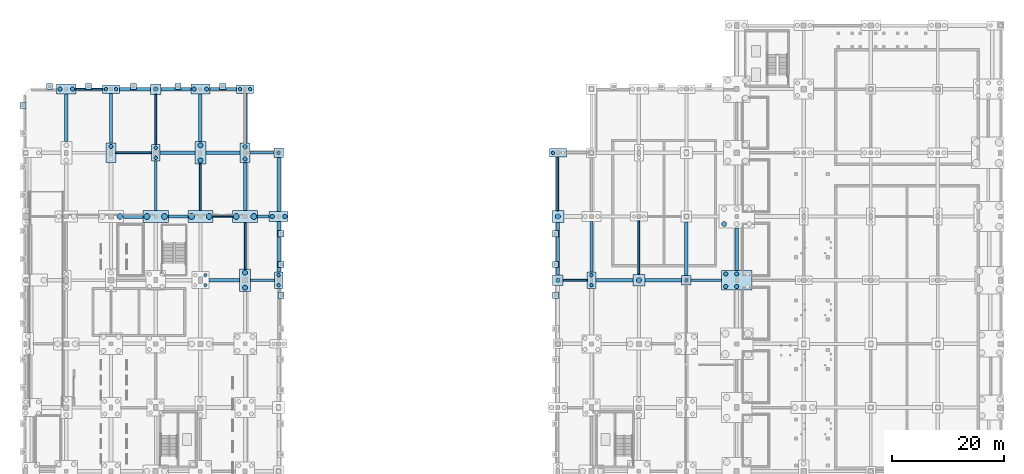
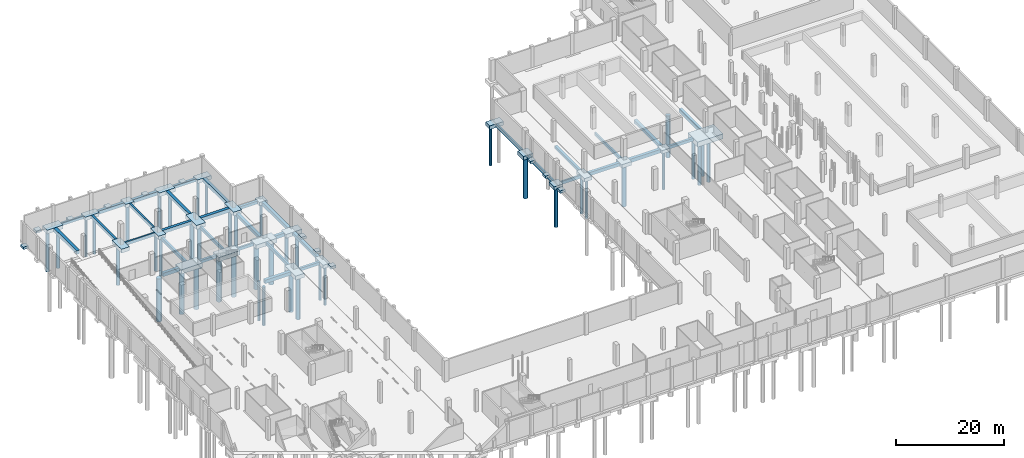
# One storey, part 6 of 34: 70 footings, 44 piles.
"""IFC4 building model written with IfcOpenShell, lengths in metres."""

from ifc_helpers import new_model, si_unit, direction, frame, origin, origin_2d, place, context, subcontext, project, spatial, rectangle, circle, extrude, material, material_profile, profile_set, type_object, element, save


model = new_model("IFC4")

# Units and contexts
model_context = context("Model", 3, precision=1e-05, world=origin(), true_north=direction((0.0, 1.0)))
body_context = subcontext(model_context, "Body", "Model", "MODEL_VIEW")
ifc_project = project(units=[si_unit("LENGTHUNIT", "METRE"), si_unit("AREAUNIT", "SQUARE_METRE"), si_unit("VOLUMEUNIT", "CUBIC_METRE"), si_unit("PLANEANGLEUNIT", "RADIAN"), si_unit("MASSUNIT", "GRAM", prefix="KILO"), si_unit("POWERUNIT", "WATT"), si_unit("THERMODYNAMICTEMPERATUREUNIT", "KELVIN")], contexts=[model_context])

# Site, building, storey
site_placement = place(None, origin())
site = spatial("IfcSite", under=ifc_project, at=site_placement, CompositionType="ELEMENT")
building_placement = place(site_placement, origin())
building = spatial("IfcBuilding", under=site, at=building_placement, Name="Kelmbourne Parkland Aquatics Centre", CompositionType="ELEMENT")
storey_placement = place(building_placement, frame((0.0, 0.0, -4.800048828125)))
storey = spatial("IfcBuildingStorey", under=building, at=storey_placement, Name="B1", CompositionType="ELEMENT", Elevation=-4.800048828125)

# Footings
ifc_material = material(Name="Waterproof concrete C50/60", Category="concrete")
footing_type_1 = type_object("IfcFootingType", Name="FT-FB1", PredefinedType="FOOTING_BEAM", material=ifc_material)
footing_1_placement = place(storey_placement, frame((43.10009765625, 69.199951171875, -1.099853515625), z_axis=(0.0, 0.0, 1.0), x_axis=(1.0, 0.0, 0.0)))
element("IfcFooting", 1, at=footing_1_placement, inside=storey, type_object=footing_type_1, Name="Ground tie beam F-G on Grid 10", PredefinedType="FOOTING_BEAM", context=body_context, shape_type="SweptSolid", body=[
    extrude(rectangle(XDim=4.25, YDim=0.5, at=origin_2d()), origin(), (0.0, 0.0, 1.0), 0.64990234375),
])
footing_2_placement = place(storey_placement, frame((122.550048828125, 69.199951171875, -1.099853515625), z_axis=(0.0, 0.0, 1.0), x_axis=(1.0, 0.0, 0.0)))
element("IfcFooting", 2, at=footing_2_placement, inside=storey, type_object=footing_type_1, Name="Ground tie beam O-P on Grid 10", PredefinedType="FOOTING_BEAM", context=body_context, shape_type="SweptSolid", body=[
    extrude(rectangle(XDim=5.39990234375, YDim=0.5, at=origin_2d()), origin(), (0.0, 0.0, 1.0), 0.64990234375),
])
footing_3_placement = place(storey_placement, frame((28.0, 80.60009765625, -1.099853515625), z_axis=(0.0, 0.0, 1.0), x_axis=(1.0, 0.0, 0.0)))
element("IfcFooting", 3, at=footing_3_placement, inside=storey, type_object=footing_type_1, Name="Ground tie beam D-E on Grid 11", PredefinedType="FOOTING_BEAM", context=body_context, shape_type="SweptSolid", body=[
    extrude(rectangle(XDim=3.5, YDim=0.5, at=origin_2d()), origin(), (0.0, 0.0, 1.0), 0.64990234375),
])
footing_4_placement = place(storey_placement, frame((43.012451171875, 92.0, -1.099853515625), z_axis=(0.0, 0.0, 1.0), x_axis=(1.0, 0.0, 0.0)))
element("IfcFooting", 4, at=footing_4_placement, inside=storey, type_object=footing_type_1, Name="Ground tie beam F-G on Grid 12", PredefinedType="FOOTING_BEAM", context=body_context, shape_type="SweptSolid", body=[
    extrude(rectangle(XDim=4.27490234375, YDim=0.5, at=origin_2d()), origin(), (0.0, 0.0, 1.0), 0.64990234375),
])
footing_5_placement = place(storey_placement, frame((36.112548828125, 103.39990234375, -0.64990234375), z_axis=(0.0, 0.0, 1.0), x_axis=(1.0, 0.0, 0.0)))
element("IfcFooting", 5, at=footing_5_placement, inside=storey, type_object=footing_type_1, Name="Ground tie beam E-F on Grid 13", PredefinedType="FOOTING_BEAM", context=body_context, shape_type="SweptSolid", body=[
    extrude(rectangle(XDim=4.77490234375, YDim=0.5, at=origin_2d()), origin(), (0.0, 0.0, 1.0), 0.64990234375),
])
footing_6_placement = place(storey_placement, frame((16.0, 98.175048828125, -0.64990234375), z_axis=(0.0, 0.0, 1.0), x_axis=(0.0, 1.0, 0.0)))
element("IfcFooting", 6, at=footing_6_placement, inside=storey, type_object=footing_type_1, Name="Ground tie beam 12-13 on Grid C", PredefinedType="FOOTING_BEAM", context=body_context, shape_type="SweptSolid", body=[
    extrude(rectangle(XDim=8.89990234375, YDim=0.5, at=origin_2d()), origin(), (0.0, 0.0, 1.0), 0.64990234375),
])
footing_7_placement = place(storey_placement, frame((24.0, 86.08740234375, -1.099853515625), z_axis=(0.0, 0.0, 1.0), x_axis=(0.0, 1.0, 0.0)))
element("IfcFooting", 7, at=footing_7_placement, inside=storey, type_object=footing_type_1, Name="Ground tie beam 11-12 on Grid D", PredefinedType="FOOTING_BEAM", context=body_context, shape_type="SweptSolid", body=[
    extrude(rectangle(XDim=8.824951171875, YDim=0.5, at=origin_2d()), origin(), (0.0, 0.0, 1.0), 0.64990234375),
])
footing_8_placement = place(storey_placement, frame((96.0, 74.85009765625, -1.099853515625), z_axis=(0.0, 0.0, 1.0), x_axis=(0.0, 1.0, 0.0)))
element("IfcFooting", 8, at=footing_8_placement, inside=storey, type_object=footing_type_1, Name="Ground tie beam 10-11 on Grid L", PredefinedType="FOOTING_BEAM", context=body_context, shape_type="SweptSolid", body=[
    extrude(rectangle(XDim=9.39990234375, YDim=0.5, at=origin_2d()), origin(), (0.0, 0.0, 1.0), 0.64990234375),
])
footing_9_placement = place(storey_placement, frame((102.0, 75.21240234375, -1.099853515625), z_axis=(0.0, 0.0, 1.0), x_axis=(0.0, 1.0, 0.0)))
element("IfcFooting", 9, at=footing_9_placement, inside=storey, type_object=footing_type_1, Name="Ground tie beam 10-11 on Grid M", PredefinedType="FOOTING_BEAM", context=body_context, shape_type="SweptSolid", body=[
    extrude(rectangle(XDim=9.02490234375, YDim=0.5, at=origin_2d()), origin(), (0.0, 0.0, 1.0), 0.64990234375),
])
footing_type_2 = type_object("IfcFootingType", Name="FT-FB2", PredefinedType="FOOTING_BEAM", material=ifc_material)
footing_10_placement = place(storey_placement, frame((99.08740234375, 69.199951171875, -1.14990234375), z_axis=(0.0, 0.0, 1.0), x_axis=(1.0, 0.0, 0.0)))
element("IfcFooting", 10, at=footing_10_placement, inside=storey, type_object=footing_type_2, Name="Ground tie beam L-M on Grid 10", PredefinedType="FOOTING_BEAM", context=body_context, shape_type="SweptSolid", body=[
    extrude(rectangle(XDim=4.27490234375, YDim=0.35009765625, at=origin_2d()), origin(), (0.0, 0.0, 1.0), 0.699951171875),
])
footing_11_placement = place(storey_placement, frame((36.0, 80.60009765625, -1.14990234375), z_axis=(0.0, 0.0, 1.0), x_axis=(1.0, 0.0, 0.0)))
element("IfcFooting", 11, at=footing_11_placement, inside=storey, type_object=footing_type_2, Name="Ground tie beam E-F on Grid 11", PredefinedType="FOOTING_BEAM", context=body_context, shape_type="SweptSolid", body=[
    extrude(rectangle(XDim=3.5, YDim=0.35009765625, at=origin_2d()), origin(), (0.0, 0.0, 1.0), 0.699951171875),
])
footing_12_placement = place(storey_placement, frame((20.050048828125, 92.0, -0.69970703125), z_axis=(0.0, 0.0, 1.0), x_axis=(1.0, 0.0, 0.0)))
element("IfcFooting", 12, at=footing_12_placement, inside=storey, type_object=footing_type_2, Name="Ground tie beam C-D on Grid 12", PredefinedType="FOOTING_BEAM", context=body_context, shape_type="SweptSolid", body=[
    extrude(rectangle(XDim=6.35009765625, YDim=0.35009765625, at=origin_2d()), origin(), (0.0, 0.0, 1.0), 0.699951171875),
])
footing_13_placement = place(storey_placement, frame((12.112548828125, 103.39990234375, -0.69970703125), z_axis=(0.0, 0.0, 1.0), x_axis=(1.0, 0.0, 0.0)))
element("IfcFooting", 13, at=footing_13_placement, inside=storey, type_object=footing_type_2, Name="Ground tie beam B-C on Grid 13", PredefinedType="FOOTING_BEAM", context=body_context, shape_type="SweptSolid", body=[
    extrude(rectangle(XDim=4.77490234375, YDim=0.35009765625, at=origin_2d()), origin(), (0.0, 0.0, 1.0), 0.699951171875),
])
footing_14_placement = place(storey_placement, frame((24.0, 97.97509765625, -0.69970703125), z_axis=(0.0, 0.0, 1.0), x_axis=(0.0, 1.0, 0.0)))
element("IfcFooting", 14, at=footing_14_placement, inside=storey, type_object=footing_type_2, Name="Ground tie beam 12-13 on Grid D", PredefinedType="FOOTING_BEAM", context=body_context, shape_type="SweptSolid", body=[
    extrude(rectangle(XDim=8.949951171875, YDim=0.35009765625, at=origin_2d()), origin(), (0.0, 0.0, 1.0), 0.699951171875),
])
for number, where, z_axis, x_axis, name in (
    (15, (32.0, 85.83740234375, -1.14990234375), (0.0, 0.0, 1.0), (0.0, 1.0, 0.0), "Ground tie beam 11-12 on Grid E"),
    (16, (40.0, 75.362548828125, -1.14990234375), (0.0, 0.0, 1.0), (0.0, 1.0, 0.0), "Ground tie beam 10-11 on Grid F"),
):
    element("IfcFooting", number, at=place(storey_placement, frame(where, z_axis=z_axis, x_axis=x_axis)), inside=storey, type_object=footing_type_2, Name=name, PredefinedType="FOOTING_BEAM", context=body_context, shape_type="SweptSolid", body=[
        extrude(rectangle(XDim=8.324951171875, YDim=0.35009765625, at=origin_2d()), origin(), (0.0, 0.0, 1.0), 0.699951171875),
    ])
for number, where, z_axis, x_axis, name in (
    (17, (96.0, 86.4375, -1.14990234375), (0.0, 0.0, 1.0), (0.0, 1.0, 0.0), "Ground tie beam 11-12 on Grid L"),
    (18, (110.5, 75.03759765625, -1.14990234375), (0.0, 0.0, 1.0), (0.0, 1.0, 0.0), "Ground tie beam 10-11 on Grid N"),
):
    element("IfcFooting", number, at=place(storey_placement, frame(where, z_axis=z_axis, x_axis=x_axis)), inside=storey, type_object=footing_type_2, Name=name, PredefinedType="FOOTING_BEAM", context=body_context, shape_type="SweptSolid", body=[
        extrude(rectangle(XDim=9.574951171875, YDim=0.35009765625, at=origin_2d()), origin(), (0.0, 0.0, 1.0), 0.699951171875),
    ])
footing_type_3 = type_object("IfcFootingType", Name="FT-FB3", PredefinedType="FOOTING_BEAM", material=ifc_material)
footing_15_placement = place(storey_placement, frame((106.112548828125, 69.199951171875, -1.199951171875), z_axis=(0.0, 0.0, 1.0), x_axis=(1.0, 0.0, 0.0)))
element("IfcFooting", 19, at=footing_15_placement, inside=storey, type_object=footing_type_3, Name="Ground tie beam M-N on Grid 10", PredefinedType="FOOTING_BEAM", context=body_context, shape_type="SweptSolid", body=[
    extrude(rectangle(XDim=6.675048828125, YDim=0.60009765625, at=origin_2d()), origin(), (0.0, 0.0, 1.0), 0.75),
])
footing_16_placement = place(storey_placement, frame((43.262451171875, 80.60009765625, -1.199951171875), z_axis=(0.0, 0.0, 1.0), x_axis=(1.0, 0.0, 0.0)))
element("IfcFooting", 20, at=footing_16_placement, inside=storey, type_object=footing_type_3, Name="Ground tie beam F-G on Grid 11", PredefinedType="FOOTING_BEAM", context=body_context, shape_type="SweptSolid", body=[
    extrude(rectangle(XDim=2.02490234375, YDim=0.60009765625, at=origin_2d()), origin(), (0.0, 0.0, 1.0), 0.75),
])
footing_17_placement = place(storey_placement, frame((27.89990234375, 92.0, -0.75), z_axis=(0.0, 0.0, 1.0), x_axis=(1.0, 0.0, 0.0)))
element("IfcFooting", 21, at=footing_17_placement, inside=storey, type_object=footing_type_3, Name="Ground tie beam D-E on Grid 12", PredefinedType="FOOTING_BEAM", context=body_context, shape_type="SweptSolid", body=[
    extrude(rectangle(XDim=6.25, YDim=0.60009765625, at=origin_2d()), origin(), (0.0, 0.0, 1.0), 0.75),
])
footing_18_placement = place(storey_placement, frame((20.27490234375, 103.39990234375, -0.75), z_axis=(0.0, 0.0, 1.0), x_axis=(1.0, 0.0, 0.0)))
element("IfcFooting", 22, at=footing_18_placement, inside=storey, type_object=footing_type_3, Name="Ground tie beam C-D on Grid 13", PredefinedType="FOOTING_BEAM", context=body_context, shape_type="SweptSolid", body=[
    extrude(rectangle(XDim=5.550048828125, YDim=0.60009765625, at=origin_2d()), origin(), (0.0, 0.0, 1.0), 0.75),
])
footing_19_placement = place(storey_placement, frame((32.0, 98.262451171875, -0.75), z_axis=(0.0, 0.0, 1.0), x_axis=(0.0, 1.0, 0.0)))
element("IfcFooting", 23, at=footing_19_placement, inside=storey, type_object=footing_type_3, Name="Ground tie beam 12-13 on Grid E", PredefinedType="FOOTING_BEAM", context=body_context, shape_type="SweptSolid", body=[
    extrude(rectangle(XDim=8.52490234375, YDim=0.60009765625, at=origin_2d()), origin(), (0.0, 0.0, 1.0), 0.75),
])
footing_20_placement = place(storey_placement, frame((40.0, 85.97509765625, -1.199951171875), z_axis=(0.0, 0.0, 1.0), x_axis=(0.0, 1.0, 0.0)))
element("IfcFooting", 24, at=footing_20_placement, inside=storey, type_object=footing_type_3, Name="Ground tie beam 11-12 on Grid F", PredefinedType="FOOTING_BEAM", context=body_context, shape_type="SweptSolid", body=[
    extrude(rectangle(XDim=8.60009765625, YDim=0.60009765625, at=origin_2d()), origin(), (0.0, 0.0, 1.0), 0.75),
])
footing_21_placement = place(storey_placement, frame((46.0, 75.21240234375, -1.199951171875), z_axis=(0.0, 0.0, 1.0), x_axis=(0.0, 1.0, 0.0)))
element("IfcFooting", 25, at=footing_21_placement, inside=storey, type_object=footing_type_3, Name="Ground tie beam 10-11 on Grid G", PredefinedType="FOOTING_BEAM", context=body_context, shape_type="SweptSolid", body=[
    extrude(rectangle(XDim=9.02490234375, YDim=0.60009765625, at=origin_2d()), origin(), (0.0, 0.0, 1.0), 0.75),
])
footing_22_placement = place(storey_placement, frame((119.0, 74.85009765625, -1.199951171875), z_axis=(0.0, 0.0, 1.0), x_axis=(0.0, 1.0, 0.0)))
element("IfcFooting", 26, at=footing_22_placement, inside=storey, type_object=footing_type_3, Name="Ground tie beam 10-11 on Grid O", PredefinedType="FOOTING_BEAM", context=body_context, shape_type="SweptSolid", body=[
    extrude(rectangle(XDim=9.60009765625, YDim=0.60009765625, at=origin_2d()), origin(), (0.0, 0.0, 1.0), 0.75),
])
footing_type_4 = type_object("IfcFootingType", Name="FT-FB4", PredefinedType="FOOTING_BEAM", material=ifc_material)
footing_23_placement = place(storey_placement, frame((36.27490234375, 69.199951171875, -1.25), z_axis=(0.0, 0.0, 1.0), x_axis=(1.0, 0.0, 0.0)))
element("IfcFooting", 27, at=footing_23_placement, inside=storey, type_object=footing_type_4, Name="Ground tie beam E-F on Grid 10", PredefinedType="FOOTING_BEAM", context=body_context, shape_type="SweptSolid", body=[
    extrude(rectangle(XDim=5.5, YDim=0.64990234375, at=origin_2d()), origin(), (0.0, 0.0, 1.0), 0.800048828125),
])
footing_24_placement = place(storey_placement, frame((114.85009765625, 69.199951171875, -1.25), z_axis=(0.0, 0.0, 1.0), x_axis=(1.0, 0.0, 0.0)))
element("IfcFooting", 28, at=footing_24_placement, inside=storey, type_object=footing_type_4, Name="Ground tie beam N-O on Grid 10", PredefinedType="FOOTING_BEAM", context=body_context, shape_type="SweptSolid", body=[
    extrude(rectangle(XDim=6.60009765625, YDim=0.64990234375, at=origin_2d()), origin(), (0.0, 0.0, 1.0), 0.800048828125),
])
footing_25_placement = place(storey_placement, frame((20.0, 80.60009765625, -1.25), z_axis=(0.0, 0.0, 1.0), x_axis=(1.0, 0.0, 0.0)))
element("IfcFooting", 29, at=footing_25_placement, inside=storey, type_object=footing_type_4, Name="Ground tie beam C-D on Grid 11", PredefinedType="FOOTING_BEAM", context=body_context, shape_type="SweptSolid", body=[
    extrude(rectangle(XDim=3.5, YDim=0.64990234375, at=origin_2d()), origin(), (0.0, 0.0, 1.0), 0.800048828125),
])
footing_26_placement = place(storey_placement, frame((36.050048828125, 92.0, -0.7998046875), z_axis=(0.0, 0.0, 1.0), x_axis=(1.0, 0.0, 0.0)))
element("IfcFooting", 30, at=footing_26_placement, inside=storey, type_object=footing_type_4, Name="Ground tie beam E-F on Grid 12", PredefinedType="FOOTING_BEAM", context=body_context, shape_type="SweptSolid", body=[
    extrude(rectangle(XDim=6.14990234375, YDim=0.64990234375, at=origin_2d()), origin(), (0.0, 0.0, 1.0), 0.800048828125),
])
footing_27_placement = place(storey_placement, frame((27.612548828125, 103.39990234375, -0.7998046875), z_axis=(0.0, 0.0, 1.0), x_axis=(1.0, 0.0, 0.0)))
element("IfcFooting", 31, at=footing_27_placement, inside=storey, type_object=footing_type_4, Name="Ground tie beam D-E on Grid 13", PredefinedType="FOOTING_BEAM", context=body_context, shape_type="SweptSolid", body=[
    extrude(rectangle(XDim=5.324951171875, YDim=0.64990234375, at=origin_2d()), origin(), (0.0, 0.0, 1.0), 0.800048828125),
])
footing_28_placement = place(storey_placement, frame((8.0, 98.262451171875, -0.7998046875), z_axis=(0.0, 0.0, 1.0), x_axis=(0.0, 1.0, 0.0)))
element("IfcFooting", 32, at=footing_28_placement, inside=storey, type_object=footing_type_4, Name="Ground tie beam 12-13 on Grid B", PredefinedType="FOOTING_BEAM", context=body_context, shape_type="SweptSolid", body=[
    extrude(rectangle(XDim=8.52490234375, YDim=0.64990234375, at=origin_2d()), origin(), (0.0, 0.0, 1.0), 0.800048828125),
])
footing_29_placement = place(storey_placement, frame((40.0, 98.175048828125, -0.7998046875), z_axis=(0.0, 0.0, 1.0), x_axis=(0.0, 1.0, 0.0)))
element("IfcFooting", 33, at=footing_29_placement, inside=storey, type_object=footing_type_4, Name="Ground tie beam 12-13 on Grid F", PredefinedType="FOOTING_BEAM", context=body_context, shape_type="SweptSolid", body=[
    extrude(rectangle(XDim=8.89990234375, YDim=0.64990234375, at=origin_2d()), origin(), (0.0, 0.0, 1.0), 0.800048828125),
])
footing_30_placement = place(storey_placement, frame((46.0, 86.3125, -1.25), z_axis=(0.0, 0.0, 1.0), x_axis=(0.0, 1.0, 0.0)))
element("IfcFooting", 34, at=footing_30_placement, inside=storey, type_object=footing_type_4, Name="Ground tie beam 11-12 on Grid G", PredefinedType="FOOTING_BEAM", context=body_context, shape_type="SweptSolid", body=[
    extrude(rectangle(XDim=9.675048828125, YDim=0.64990234375, at=origin_2d()), origin(), (0.0, 0.0, 1.0), 0.800048828125),
])
footing_31_placement = place(storey_placement, frame((128.0, 74.77490234375, -1.25), z_axis=(0.0, 0.0, 1.0), x_axis=(0.0, 1.0, 0.0)))
element("IfcFooting", 35, at=footing_31_placement, inside=storey, type_object=footing_type_4, Name="Ground tie beam 10-11 on Grid P", PredefinedType="FOOTING_BEAM", context=body_context, shape_type="SweptSolid", body=[
    extrude(rectangle(XDim=7.60009765625, YDim=0.64990234375, at=origin_2d()), origin(), (0.0, 0.0, 1.0), 0.800048828125),
])
footing_type_5 = type_object("IfcFootingType", Name="FT-PC01", PredefinedType="PILE_CAP", material=ifc_material)
for number, where, z_axis, x_axis, name in (
    (36, (46.0, 92.0, -1.199951171875), (0.0, 0.0, 1.0), (1.0, 0.0, 0.0), "Bored pile cap PC-G-12"),
    (37, (119.0, 69.199951171875, -1.199951171875), (0.0, 0.0, 1.0), (1.0, 0.0, 0.0), "Bored pile cap PC-O-10"),
):
    element("IfcFooting", number, at=place(storey_placement, frame(where, z_axis=z_axis, x_axis=x_axis)), inside=storey, type_object=footing_type_5, Name=name, PredefinedType="PILE_CAP", context=body_context, shape_type="SweptSolid", body=[
        extrude(rectangle(XDim=1.699951171875, YDim=1.699951171875, at=origin_2d()), origin(), (0.0, 0.0, 1.0), 0.75),
    ])
footing_type_6 = type_object("IfcFootingType", Name="FT-PC02", PredefinedType="PILE_CAP", material=ifc_material)
for number, where, z_axis, x_axis, name in (
    (38, (24.0, 103.39990234375, -0.7998046875), (0.0, 0.0, 1.0), (1.0, 0.0, 0.0), "Bored pile cap PC-D-13"),
    (39, (96.0, 69.199951171875, -1.25), (0.0, 0.0, 1.0), (1.0, 0.0, 0.0), "Bored pile cap PC-L-10"),
):
    element("IfcFooting", number, at=place(storey_placement, frame(where, z_axis=z_axis, x_axis=x_axis)), inside=storey, type_object=footing_type_6, Name=name, PredefinedType="PILE_CAP", context=body_context, shape_type="SweptSolid", body=[
        extrude(rectangle(XDim=1.89990234375, YDim=1.89990234375, at=origin_2d()), origin(), (0.0, 0.0, 1.0), 0.800048828125),
    ])
footing_type_7 = type_object("IfcFootingType", Name="FT-PC03", PredefinedType="PILE_CAP", material=ifc_material)
for number, where, z_axis, x_axis, name in (
    (40, (96.0, 80.60009765625, -1.300048828125), (0.0, 0.0, 1.0), (1.0, 0.0, 0.0), "Bored pile cap PC-L-11"),
    (41, (110.5, 69.199951171875, -1.300048828125), (0.0, 0.0, 1.0), (1.0, 0.0, 0.0), "Bored pile cap PC-N-10"),
):
    element("IfcFooting", number, at=place(storey_placement, frame(where, z_axis=z_axis, x_axis=x_axis)), inside=storey, type_object=footing_type_7, Name=name, PredefinedType="PILE_CAP", context=body_context, shape_type="SweptSolid", body=[
        extrude(rectangle(XDim=2.10009765625, YDim=2.10009765625, at=origin_2d()), origin(), (0.0, 0.0, 1.0), 0.85009765625),
    ])
footing_type_8 = type_object("IfcFootingType", Name="FT-PC04", PredefinedType="PILE_CAP", material=ifc_material)
for number, where, z_axis, x_axis, name in (
    (42, (16.0, 103.39990234375, -0.7998046875), (0.0, 0.0, 1.0), (1.0, 0.0, 0.0), "Bored pile cap PC-C-13"),
    (43, (40.0, 103.39990234375, -0.7998046875), (0.0, 0.0, 1.0), (1.0, 0.0, 0.0), "Bored pile cap PC-F-13"),
    (44, (96.0, 92.0, -1.25), (0.0, 0.0, 1.0), (1.0, 0.0, 0.0), "Bored pile cap PC-L-12"),
):
    element("IfcFooting", number, at=place(storey_placement, frame(where, z_axis=z_axis, x_axis=x_axis)), inside=storey, type_object=footing_type_8, Name=name, PredefinedType="PILE_CAP", context=body_context, shape_type="SweptSolid", body=[
        extrude(rectangle(XDim=3.0, YDim=1.550048828125, at=origin_2d()), origin(), (0.0, 0.0, 1.0), 0.800048828125),
    ])
footing_type_9 = type_object("IfcFootingType", Name="FT-PC05", PredefinedType="PILE_CAP", material=ifc_material)
for number, where, z_axis, x_axis, name in (
    (45, (24.0, 92.0, -0.7998046875), (0.0, 0.0, 1.0), (1.0, 0.0, 0.0), "Bored pile cap PC-D-12"),
    (46, (46.0, 69.199951171875, -1.25), (0.0, 0.0, 1.0), (1.0, 0.0, 0.0), "Bored pile cap PC-G-10"),
    (47, (102.0, 69.199951171875, -1.25), (0.0, 0.0, 1.0), (1.0, 0.0, 0.0), "Bored pile cap PC-M-10"),
):
    element("IfcFooting", number, at=place(storey_placement, frame(where, z_axis=z_axis, x_axis=x_axis)), inside=storey, type_object=footing_type_9, Name=name, PredefinedType="PILE_CAP", context=body_context, shape_type="SweptSolid", body=[
        extrude(rectangle(XDim=1.550048828125, YDim=3.0, at=origin_2d()), origin(), (0.0, 0.0, 1.0), 0.800048828125),
    ])
footing_type_10 = type_object("IfcFootingType", Name="FT-PC06", PredefinedType="PILE_CAP", material=ifc_material)
for number, where, z_axis, x_axis, name in (
    (48, (8.0, 103.39990234375, -0.85009765625), (0.0, 0.0, 1.0), (1.0, 0.0, 0.0), "Bored pile cap PC-B-13"),
    (49, (32.0, 103.39990234375, -0.85009765625), (0.0, 0.0, 1.0), (1.0, 0.0, 0.0), "Bored pile cap PC-E-13"),
    (50, (46.0, 80.60009765625, -1.300048828125), (0.0, 0.0, 1.0), (1.0, 0.0, 0.0), "Bored pile cap PC-G-11"),
):
    element("IfcFooting", number, at=place(storey_placement, frame(where, z_axis=z_axis, x_axis=x_axis)), inside=storey, type_object=footing_type_10, Name=name, PredefinedType="PILE_CAP", context=body_context, shape_type="SweptSolid", body=[
        extrude(rectangle(XDim=3.449951171875, YDim=1.75, at=origin_2d()), origin(), (0.0, 0.0, 1.0), 0.85009765625),
    ])
footing_type_11 = type_object("IfcFootingType", Name="FT-PC07", PredefinedType="PILE_CAP", material=ifc_material)
for number, where, z_axis, x_axis, name in (
    (51, (16.0, 92.0, -0.85009765625), (0.0, 0.0, 1.0), (1.0, 0.0, 0.0), "Bored pile cap PC-C-12"),
    (52, (40.0, 92.0, -0.85009765625), (0.0, 0.0, 1.0), (1.0, 0.0, 0.0), "Bored pile cap PC-F-12"),
):
    element("IfcFooting", number, at=place(storey_placement, frame(where, z_axis=z_axis, x_axis=x_axis)), inside=storey, type_object=footing_type_11, Name=name, PredefinedType="PILE_CAP", context=body_context, shape_type="SweptSolid", body=[
        extrude(rectangle(XDim=1.75, YDim=3.449951171875, at=origin_2d()), origin(), (0.0, 0.0, 1.0), 0.85009765625),
    ])
footing_type_12 = type_object("IfcFootingType", Name="FT-PC09", PredefinedType="PILE_CAP", material=ifc_material)
for number, where, z_axis, x_axis, name in (
    (53, (32.0, 92.0, -0.89990234375), (0.0, 0.0, 1.0), (1.0, 0.0, 0.0), "Bored pile cap PC-E-12"),
    (54, (40.0, 69.199951171875, -1.349853515625), (0.0, 0.0, 1.0), (1.0, 0.0, 0.0), "Bored pile cap PC-F-10"),
):
    element("IfcFooting", number, at=place(storey_placement, frame(where, z_axis=z_axis, x_axis=x_axis)), inside=storey, type_object=footing_type_12, Name=name, PredefinedType="PILE_CAP", context=body_context, shape_type="SweptSolid", body=[
        extrude(rectangle(XDim=1.949951171875, YDim=4.0, at=origin_2d()), origin(), (0.0, 0.0, 1.0), 0.89990234375),
    ])
footing_type_13 = type_object("IfcFootingType", Name="FT-PC10", PredefinedType="PILE_CAP", material=ifc_material)
for number, where, z_axis, x_axis, name in (
    (55, (24.0, 80.60009765625, -1.39990234375), (0.0, 0.0, 1.0), (1.0, 0.0, 0.0), "Bored pile cap PC-D-11"),
    (56, (32.0, 80.60009765625, -1.39990234375), (0.0, 0.0, 1.0), (1.0, 0.0, 0.0), "Bored pile cap PC-E-11"),
    (57, (40.0, 80.60009765625, -1.39990234375), (0.0, 0.0, 1.0), (1.0, 0.0, 0.0), "Bored pile cap PC-F-11"),
):
    element("IfcFooting", number, at=place(storey_placement, frame(where, z_axis=z_axis, x_axis=x_axis)), inside=storey, type_object=footing_type_13, Name=name, PredefinedType="PILE_CAP", context=body_context, shape_type="SweptSolid", body=[
        extrude(rectangle(XDim=4.5, YDim=2.14990234375, at=origin_2d()), origin(), (0.0, 0.0, 1.0), 0.949951171875),
    ])
footing_type_14 = type_object("IfcFootingType", Name="FT-PC21", PredefinedType="PILE_CAP", material=ifc_material)
footing_32_placement = place(storey_placement, frame((128.0, 69.199951171875, -1.550048828125), z_axis=(0.0, 0.0, 1.0), x_axis=(1.0, 0.0, 0.0)))
element("IfcFooting", 58, at=footing_32_placement, inside=storey, type_object=footing_type_14, Name="Bored pile cap PC-P-10", PredefinedType="PILE_CAP", context=body_context, shape_type="SweptSolid", body=[
    extrude(rectangle(XDim=5.5, YDim=3.550048828125, at=origin_2d()), origin(), (0.0, 0.0, 1.0), 1.10009765625),
])
footing_type_15 = type_object("IfcFootingType", Name="FT-SF1", PredefinedType="STRIP_FOOTING", material=ifc_material)
for number, where, z_axis, x_axis, name in (
    (59, (0.260009765625, 100.5, -0.5498046875), (0.0, 0.0, 1.0), (1.0, 0.0, 0.0), "Brick buttress footing W-018"),
    (60, (46.449951171875, 66.5, -0.5498046875), (0.0, 0.0, 1.0), (1.0, 0.0, 0.0), "Brick buttress footing CW-039"),
    (61, (46.449951171875, 72.0, -0.5498046875), (0.0, 0.0, 1.0), (1.0, 0.0, 0.0), "Brick buttress footing CW-040"),
    (62, (46.449951171875, 77.5, -0.5498046875), (0.0, 0.0, 1.0), (1.0, 0.0, 0.0), "Brick buttress footing CW-041"),
    (63, (95.550048828125, 66.5, -0.5498046875), (0.0, 0.0, 1.0), (1.0, 0.0, 0.0), "Brick buttress footing CE-047"),
    (64, (95.550048828125, 72.0, -0.5498046875), (0.0, 0.0, 1.0), (1.0, 0.0, 0.0), "Brick buttress footing CE-048"),
    (65, (95.550048828125, 77.5, -0.5498046875), (0.0, 0.0, 1.0), (1.0, 0.0, 0.0), "Brick buttress footing CE-049"),
    (66, (5.0, 103.85009765625, -0.5498046875), (0.0, 0.0, 1.0), (1.0, 0.0, 0.0), "Brick buttress footing NV5-050"),
    (67, (12.0, 103.85009765625, -0.5498046875), (0.0, 0.0, 1.0), (1.0, 0.0, 0.0), "Brick buttress footing NV5-051"),
    (68, (20.0, 103.85009765625, -0.5498046875), (0.0, 0.0, 1.0), (1.0, 0.0, 0.0), "Brick buttress footing NV5-052"),
    (69, (28.0, 103.85009765625, -0.5498046875), (0.0, 0.0, 1.0), (1.0, 0.0, 0.0), "Brick buttress footing NV5-053"),
    (70, (36.0, 103.85009765625, -0.5498046875), (0.0, 0.0, 1.0), (1.0, 0.0, 0.0), "Brick buttress footing NV5-054"),
):
    element("IfcFooting", number, at=place(storey_placement, frame(where, z_axis=z_axis, x_axis=x_axis)), inside=storey, type_object=footing_type_15, Name=name, PredefinedType="STRIP_FOOTING", context=body_context, shape_type="SweptSolid", body=[
        extrude(rectangle(XDim=1.10009765625, YDim=1.10009765625, at=origin_2d()), origin(), (0.0, 0.0, 1.0), 0.550048828125),
    ])

# Piles
ifc_material_profile_1 = material_profile(ifc_material, circle(Radius=0.52490234375, at=origin_2d()), Name="PILE D1050")
ifc_profile_set_1 = profile_set([ifc_material_profile_1], Name="Waterproof concrete C50/60")
pile_type_1 = type_object("IfcPileType", Name="PL-1050", PredefinedType="BORED", material=ifc_profile_set_1)
for number, where, z_axis, x_axis, name in (
    (71, (17.574951171875, 80.60009765625, -1.300048828125), (0.0, 0.0, -1.0), (1.0, 0.0, 0.0), "Rock-socketed bored pile C-11-2"),
    (72, (22.425048828125, 80.60009765625, -1.300048828125), (0.0, 0.0, -1.0), (1.0, 0.0, 0.0), "Rock-socketed bored pile D-11-1"),
    (73, (25.574951171875, 80.60009765625, -1.300048828125), (0.0, 0.0, -1.0), (1.0, 0.0, 0.0), "Rock-socketed bored pile D-11-2"),
    (74, (30.425048828125, 80.60009765625, -1.300048828125), (0.0, 0.0, -1.0), (1.0, 0.0, 0.0), "Rock-socketed bored pile E-11-1"),
    (75, (33.574951171875, 80.60009765625, -1.300048828125), (0.0, 0.0, -1.0), (1.0, 0.0, 0.0), "Rock-socketed bored pile E-11-2"),
    (76, (38.425048828125, 80.60009765625, -1.300048828125), (0.0, 0.0, -1.0), (1.0, 0.0, 0.0), "Rock-socketed bored pile F-11-1"),
    (77, (41.574951171875, 80.60009765625, -1.300048828125), (0.0, 0.0, -1.0), (1.0, 0.0, 0.0), "Rock-socketed bored pile F-11-2"),
):
    element("IfcPile", number, at=place(storey_placement, frame(where, z_axis=z_axis, x_axis=x_axis)), inside=storey, type_object=pile_type_1, Name=name, PredefinedType="BORED", context=body_context, shape_type="SweptSolid", body=[
        extrude(circle(Radius=0.52490234375, at=origin_2d()), origin(), (0.0, 0.0, 1.0), 9.800048828125),
    ])
ifc_material_profile_2 = material_profile(ifc_material, circle(Radius=0.300048828125, at=origin_2d()), Name="PILE D600")
ifc_profile_set_2 = profile_set([ifc_material_profile_2], Name="Waterproof concrete C50/60")
pile_type_2 = type_object("IfcPileType", Name="PL-600", PredefinedType="BORED", material=ifc_profile_set_2)
for number, where, z_axis, x_axis, name in (
    (78, (15.10009765625, 103.39990234375, -0.699951171875), (0.0, 0.0, -1.0), (1.0, 0.0, 0.0), "Rock-socketed bored pile C-13-1"),
    (79, (16.89990234375, 103.39990234375, -0.699951171875), (0.0, 0.0, -1.0), (1.0, 0.0, 0.0), "Rock-socketed bored pile C-13-2"),
    (80, (24.0, 91.10009765625, -0.699951171875), (0.0, 0.0, -1.0), (1.0, 0.0, 0.0), "Rock-socketed bored pile D-12-1"),
    (81, (24.0, 92.89990234375, -0.699951171875), (0.0, 0.0, -1.0), (1.0, 0.0, 0.0), "Rock-socketed bored pile D-12-2"),
    (82, (32.89990234375, 68.300048828125, -1.199951171875), (0.0, 0.0, -1.0), (1.0, 0.0, 0.0), "Rock-socketed bored pile E-10-2"),
    (83, (32.89990234375, 70.10009765625, -1.199951171875), (0.0, 0.0, -1.0), (1.0, 0.0, 0.0), "Rock-socketed bored pile E-10-4"),
    (84, (39.10009765625, 103.39990234375, -0.699951171875), (0.0, 0.0, -1.0), (1.0, 0.0, 0.0), "Rock-socketed bored pile F-13-1"),
    (85, (40.89990234375, 103.39990234375, -0.699951171875), (0.0, 0.0, -1.0), (1.0, 0.0, 0.0), "Rock-socketed bored pile F-13-2"),
    (86, (46.0, 68.300048828125, -1.14990234375), (0.0, 0.0, -1.0), (1.0, 0.0, 0.0), "Rock-socketed bored pile G-10-1"),
    (87, (46.0, 70.10009765625, -1.14990234375), (0.0, 0.0, -1.0), (1.0, 0.0, 0.0), "Rock-socketed bored pile G-10-2"),
    (88, (46.0, 92.0, -1.099853515625), (0.0, 0.0, -1.0), (1.0, 0.0, 0.0), "Rock-socketed bored pile G-12-1"),
    (89, (95.10009765625, 92.0, -1.14990234375), (0.0, 0.0, -1.0), (1.0, 0.0, 0.0), "Rock-socketed bored pile L-12-1"),
    (90, (102.0, 68.300048828125, -1.14990234375), (0.0, 0.0, -1.0), (1.0, 0.0, 0.0), "Rock-socketed bored pile M-10-1"),
    (91, (102.0, 70.10009765625, -1.14990234375), (0.0, 0.0, -1.0), (1.0, 0.0, 0.0), "Rock-socketed bored pile M-10-2"),
    (92, (119.0, 69.199951171875, -1.099853515625), (0.0, 0.0, -1.0), (1.0, 0.0, 0.0), "Rock-socketed bored pile O-10-1"),
):
    element("IfcPile", number, at=place(storey_placement, frame(where, z_axis=z_axis, x_axis=x_axis)), inside=storey, type_object=pile_type_2, Name=name, PredefinedType="BORED", context=body_context, shape_type="SweptSolid", body=[
        extrude(circle(Radius=0.300048828125, at=origin_2d()), origin(), (0.0, 0.0, 1.0), 8.800048828125),
    ])
ifc_material_profile_3 = material_profile(ifc_material, circle(Radius=0.375, at=origin_2d()), Name="PILE D750")
ifc_profile_set_3 = profile_set([ifc_material_profile_3], Name="Waterproof concrete C50/60")
pile_type_3 = type_object("IfcPileType", Name="PL-750", PredefinedType="BORED", material=ifc_profile_set_3)
for number, where, z_axis, x_axis, name in (
    (93, (6.875, 103.39990234375, -0.75), (0.0, 0.0, -1.0), (1.0, 0.0, 0.0), "Rock-socketed bored pile B-13-1"),
    (94, (9.125, 103.39990234375, -0.75), (0.0, 0.0, -1.0), (1.0, 0.0, 0.0), "Rock-socketed bored pile B-13-2"),
    (95, (16.0, 93.125, -0.75), (0.0, 0.0, -1.0), (1.0, 0.0, 0.0), "Rock-socketed bored pile C-12-2"),
    (96, (24.0, 103.39990234375, -0.699951171875), (0.0, 0.0, -1.0), (1.0, 0.0, 0.0), "Rock-socketed bored pile D-13-1"),
    (97, (30.875, 103.39990234375, -0.75), (0.0, 0.0, -1.0), (1.0, 0.0, 0.0), "Rock-socketed bored pile E-13-1"),
    (98, (33.125, 103.39990234375, -0.75), (0.0, 0.0, -1.0), (1.0, 0.0, 0.0), "Rock-socketed bored pile E-13-2"),
    (99, (40.0, 90.875, -0.75), (0.0, 0.0, -1.0), (1.0, 0.0, 0.0), "Rock-socketed bored pile F-12-1"),
    (100, (40.0, 93.125, -0.75), (0.0, 0.0, -1.0), (1.0, 0.0, 0.0), "Rock-socketed bored pile F-12-2"),
    (101, (44.875, 80.60009765625, -1.199951171875), (0.0, 0.0, -1.0), (1.0, 0.0, 0.0), "Rock-socketed bored pile G-11-1"),
    (102, (47.125, 80.60009765625, -1.199951171875), (0.0, 0.0, -1.0), (1.0, 0.0, 0.0), "Rock-socketed bored pile G-11-2"),
    (103, (96.0, 69.199951171875, -1.14990234375), (0.0, 0.0, -1.0), (1.0, 0.0, 0.0), "Rock-socketed bored pile L-10-1"),
    (104, (126.050048828125, 68.074951171875, -1.449951171875), (0.0, 0.0, -1.0), (1.0, 0.0, 0.0), "Rock-socketed bored pile P-10-1"),
    (105, (128.0, 68.074951171875, -1.449951171875), (0.0, 0.0, -1.0), (1.0, 0.0, 0.0), "Rock-socketed bored pile P-10-2"),
    (106, (126.050048828125, 70.324951171875, -1.449951171875), (0.0, 0.0, -1.0), (1.0, 0.0, 0.0), "Rock-socketed bored pile P-10-4"),
    (107, (128.0, 70.324951171875, -1.449951171875), (0.0, 0.0, -1.0), (1.0, 0.0, 0.0), "Rock-socketed bored pile P-10-5"),
):
    element("IfcPile", number, at=place(storey_placement, frame(where, z_axis=z_axis, x_axis=x_axis)), inside=storey, type_object=pile_type_3, Name=name, PredefinedType="BORED", context=body_context, shape_type="SweptSolid", body=[
        extrude(circle(Radius=0.375, at=origin_2d()), origin(), (0.0, 0.0, 1.0), 9.199951171875),
    ])
ifc_material_profile_4 = material_profile(ifc_material, circle(Radius=0.449951171875, at=origin_2d()), Name="PILE D900")
ifc_profile_set_4 = profile_set([ifc_material_profile_4], Name="Waterproof concrete C50/60")
pile_type_4 = type_object("IfcPileType", Name="PL-900", PredefinedType="BORED", material=ifc_profile_set_4)
for number, where, z_axis, x_axis, name in (
    (108, (32.0, 90.64990234375, -0.800048828125), (0.0, 0.0, -1.0), (1.0, 0.0, 0.0), "Rock-socketed bored pile E-12-1"),
    (109, (32.0, 93.35009765625, -0.800048828125), (0.0, 0.0, -1.0), (1.0, 0.0, 0.0), "Rock-socketed bored pile E-12-2"),
    (110, (40.0, 67.85009765625, -1.25), (0.0, 0.0, -1.0), (1.0, 0.0, 0.0), "Rock-socketed bored pile F-10-1"),
    (111, (40.0, 70.550048828125, -1.25), (0.0, 0.0, -1.0), (1.0, 0.0, 0.0), "Rock-socketed bored pile F-10-2"),
    (112, (96.0, 80.60009765625, -1.199951171875), (0.0, 0.0, -1.0), (1.0, 0.0, 0.0), "Rock-socketed bored pile L-11-1"),
    (113, (110.5, 69.199951171875, -1.199951171875), (0.0, 0.0, -1.0), (1.0, 0.0, 0.0), "Rock-socketed bored pile N-10-1"),
    (114, (125.75, 79.25, -1.550048828125), (0.0, 0.0, -1.0), (1.0, 0.0, 0.0), "Rock-socketed bored pile P-11-1"),
):
    element("IfcPile", number, at=place(storey_placement, frame(where, z_axis=z_axis, x_axis=x_axis)), inside=storey, type_object=pile_type_4, Name=name, PredefinedType="BORED", context=body_context, shape_type="SweptSolid", body=[
        extrude(circle(Radius=0.449951171875, at=origin_2d()), origin(), (0.0, 0.0, 1.0), 9.5),
    ])

save(model, "model.ifc")
